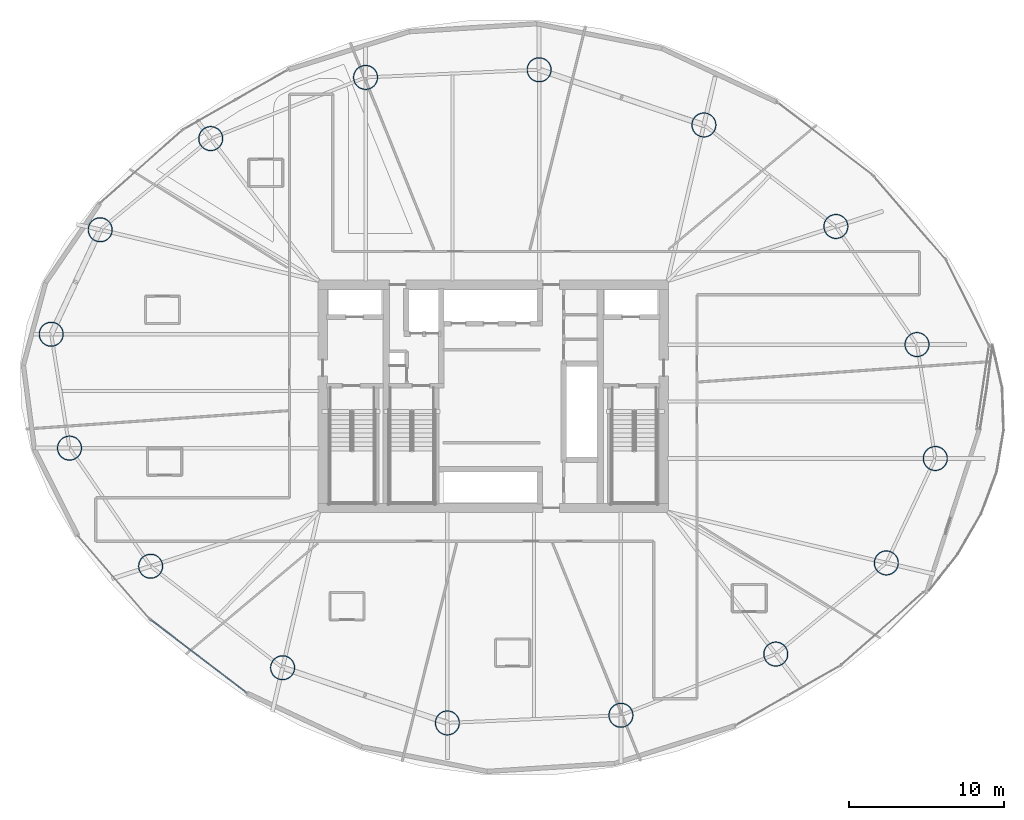
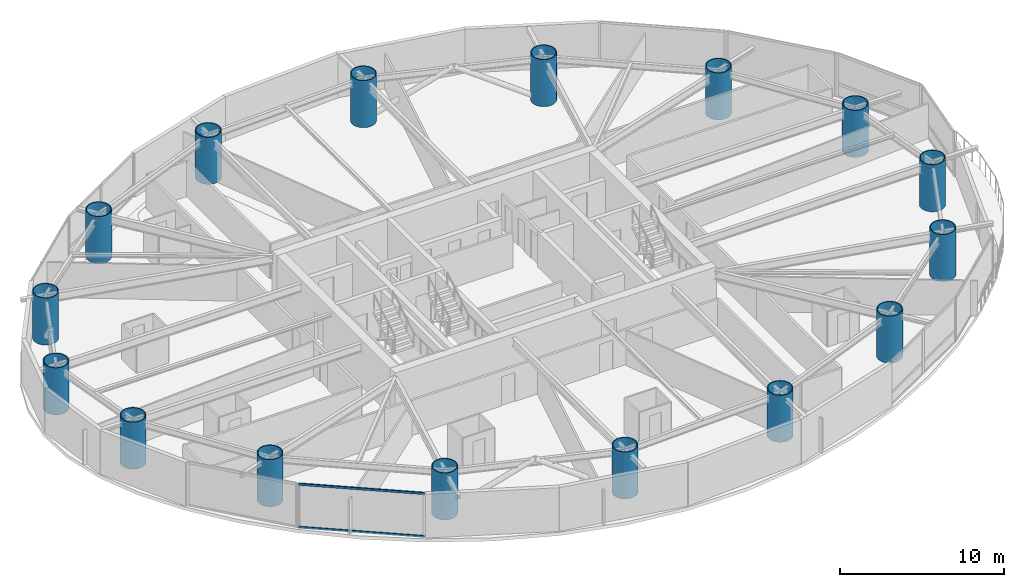
# One storey, part 1 of 26: 16 columns, 2 members, 1 element without a shape of its own.
"""IFC4 building model written with IfcOpenShell, lengths in metres."""

import ifcopenshell
import ifcopenshell.guid

model = None  # the IFC model being written
_history = None  # IfcOwnerHistory: only IFC2X3 demands one
_inside = {}  # id of a spatial element -> (the spatial element, [elements in it])
_under = {}  # id of a project, library or spatial element -> (it, [spatial elements below it])
_declared = {}  # id of a project -> (the project, [libraries it declares])
_typed = {}  # id of a type object -> (the type object, [elements of that type])
_made_of = {}  # id of a material, layer set ... -> (it, [elements and type objects made of it])


def new_model(schema):
    """Start an empty IFC model of exactly this schema.

    Asked for "IFC4X3", IfcOpenShell would pick the latest addendum, in which some entities
    have other attributes; the version numbers below select the first issue.
    IFC2X3 requires an IfcOwnerHistory on every rooted entity: one is made here for all.
    """
    global model, _history
    if schema == "IFC4X3":
        model = ifcopenshell.file(schema_version=(4, 3, 0, 0))
    else:
        model = ifcopenshell.file(schema=schema)
    _inside.clear()
    _under.clear()
    _declared.clear()
    _typed.clear()
    _made_of.clear()
    _history = None
    if model.schema == "IFC2X3":
        org = make("IfcOrganization", Name="unknown")
        user = make(
            "IfcPersonAndOrganization",
            ThePerson=make("IfcPerson", FamilyName="unknown"),
            TheOrganization=org,
        )
        app = make(
            "IfcApplication",
            ApplicationDeveloper=org,
            Version="unknown",
            ApplicationFullName="unknown",
            ApplicationIdentifier="unknown",
        )
        _history = make(
            "IfcOwnerHistory",
            OwningUser=user,
            OwningApplication=app,
            ChangeAction="ADDED",
            CreationDate=0,
        )
    return model


def make(cls, **values):
    """One entity of the class cls with the attributes given. An attribute that is None is left unset."""
    return model.create_entity(
        cls, **{name: value for name, value in values.items() if value is not None}
    )


def rooted(cls, **values):
    """An entity with a GlobalId (a new one), such as an element, a storey or a relation."""
    return make(cls, GlobalId=ifcopenshell.guid.new(), OwnerHistory=_history, **values)


def si_unit(unit_type, name, prefix=None):
    """IfcSIUnit, for example si_unit("LENGTHUNIT", "METRE", prefix="MILLI")."""
    return make("IfcSIUnit", UnitType=unit_type, Prefix=prefix, Name=name)


def assignment(units):
    """IfcUnitAssignment: the units of a project."""
    return None if units is None else make("IfcUnitAssignment", Units=units)


def point(xyz):
    """IfcCartesianPoint."""
    return None if xyz is None else make("IfcCartesianPoint", Coordinates=xyz)


def direction(xyz):
    """IfcDirection."""
    return None if xyz is None else make("IfcDirection", DirectionRatios=xyz)


def frame(location, z_axis=None, x_axis=None):
    """IfcAxis2Placement3D, a coordinate frame: its origin and axes. An axis left out is left unset."""
    return make(
        "IfcAxis2Placement3D",
        Location=point(location),
        Axis=direction(z_axis),
        RefDirection=direction(x_axis),
    )


def frame_2d(location, x_axis=None):
    """IfcAxis2Placement2D, a coordinate frame in the plane: its origin and x axis."""
    return make(
        "IfcAxis2Placement2D", Location=point(location), RefDirection=direction(x_axis)
    )


def origin():
    """The frame at (0, 0, 0) with its axes left unset."""
    return frame((0.0, 0.0, 0.0))


def origin_2d():
    """The frame at (0, 0) in the plane with its x axis left unset."""
    return frame_2d((0.0, 0.0))


def place(relative_to, where):
    """IfcLocalPlacement: puts the frame where relative to a parent placement (None: the world)."""
    return make(
        "IfcLocalPlacement", PlacementRelTo=relative_to, RelativePlacement=where
    )


def context(
    kind, dimensions, precision=None, world=None, true_north=None, identifier=None
):
    """IfcGeometricRepresentationContext, for example the 3D "Model" context."""
    return make(
        "IfcGeometricRepresentationContext",
        ContextIdentifier=identifier,
        ContextType=kind,
        CoordinateSpaceDimension=dimensions,
        Precision=precision,
        WorldCoordinateSystem=world,
        TrueNorth=true_north,
    )


def subcontext(parent, identifier, kind, view, scale=None):
    """IfcGeometricRepresentationSubContext, for example "Body" below "Model"."""
    return make(
        "IfcGeometricRepresentationSubContext",
        ContextIdentifier=identifier,
        ContextType=kind,
        ParentContext=parent,
        TargetScale=scale,
        TargetView=view,
    )


def project(units=None, contexts=None):
    """IfcProject with its units and contexts."""
    return rooted(
        "IfcProject",
        Name="project",
        RepresentationContexts=contexts,
        UnitsInContext=assignment(units),
    )


def spatial(cls, under=None, at=None, **own):
    """A site, building, storey or space (cls), placed at a placement, below another one or the project."""
    s = rooted(cls, ObjectPlacement=at, **own)
    if under is not None:
        _under.setdefault(under.id(), (under, []))[1].append(s)
    return s


def profile(cls, at=None, kind="AREA", **sizes):
    """A parametric profile (cls). Its sizes go by their IFC names, for example OverallWidth=200.0."""
    return make(cls, ProfileType=kind, Position=at, **sizes)


def hollow_rectangle(**sizes):
    """IfcRectangleHollowProfileDef."""
    return profile("IfcRectangleHollowProfileDef", **sizes)


def hollow_circle(**sizes):
    """IfcCircleHollowProfileDef."""
    return profile("IfcCircleHollowProfileDef", **sizes)


def extrude(swept, where, along, depth):
    """IfcExtrudedAreaSolid: the profile swept, set in the frame where, extruded along a direction by depth."""
    return make(
        "IfcExtrudedAreaSolid",
        SweptArea=swept,
        Position=where,
        ExtrudedDirection=direction(along),
        Depth=depth,
    )


def shape(context_of_items, identifier, shape_type, items):
    """IfcShapeRepresentation: the items that make up one representation, for example the "Body"."""
    return make(
        "IfcShapeRepresentation",
        ContextOfItems=context_of_items,
        RepresentationIdentifier=identifier,
        RepresentationType=shape_type,
        Items=items,
    )


def material(Name=None, Category=None):
    """IfcMaterial."""
    return make("IfcMaterial", Name=Name, Category=Category)


def layer(
    of_material, thickness, ventilated=None, Name=None, Category=None, Priority=None
):
    """IfcMaterialLayer: one layer of a wall or slab, of a material (None: an air gap)."""
    return make(
        "IfcMaterialLayer",
        Material=of_material,
        LayerThickness=thickness,
        IsVentilated=ventilated,
        Name=Name,
        Category=Category,
        Priority=Priority,
    )


def layer_set(layers, Name=None):
    """IfcMaterialLayerSet."""
    return make("IfcMaterialLayerSet", MaterialLayers=layers, LayerSetName=Name)


def material_profile(
    of_material, cross_section, Name=None, Category=None, Priority=None
):
    """IfcMaterialProfile: a cross section and its material."""
    return make(
        "IfcMaterialProfile",
        Name=Name,
        Material=of_material,
        Profile=cross_section,
        Priority=Priority,
        Category=Category,
    )


def profile_set(profiles, Name=None, composite=None):
    """IfcMaterialProfileSet."""
    return make(
        "IfcMaterialProfileSet",
        Name=Name,
        MaterialProfiles=profiles,
        CompositeProfile=composite,
    )


def made_of(thing, what):
    """Note that an element or type object is made of a material, layer set ...; save() writes the relation."""
    if what is not None:
        _made_of.setdefault(what.id(), (what, []))[1].append(thing)
    return thing


def type_object(cls, material=None, **own):
    """A type object (cls), such as IfcWallType, which elements share."""
    return made_of(rooted(cls, **own), material)


def element(
    cls,
    number,
    at=None,
    inside=None,
    cuts=None,
    type_object=None,
    material=None,
    context=None,
    identifier="Body",
    shape_type=None,
    held_by="IfcProductDefinitionShape",
    body=None,
    shapes=None,
    **own,
):
    """One element of the class cls, such as IfcWall. Its Tag is "e" and its number.

    at: its placement. inside: the storey or other place that contains it. cuts: it is an
    opening in that element (IfcRelVoidsElement). A single representation is given by context,
    identifier, shape_type and body (its items); several are given by shapes. held_by: the class
    of the entity that holds the representations. save() writes the other relations.
    """
    e = rooted(cls, Tag="e%d" % number, ObjectPlacement=at, **own)
    if body is not None:
        shapes = [shape(context, identifier, shape_type, body)]
    if shapes is not None:
        e.Representation = make(held_by, Representations=shapes)
    if inside is not None:
        _inside.setdefault(inside.id(), (inside, []))[1].append(e)
    if cuts is not None:
        rooted(
            "IfcRelVoidsElement", RelatingBuildingElement=cuts, RelatedOpeningElement=e
        )
    if type_object is not None:
        _typed.setdefault(type_object.id(), (type_object, []))[1].append(e)
    return made_of(e, material)


def aggregate(whole, parts):
    """IfcRelAggregates: a whole, such as a stair, and the parts it consists of."""
    return rooted("IfcRelAggregates", RelatingObject=whole, RelatedObjects=parts)


def save(model, path):
    """Write the relations noted so far, then the file.

    IfcRelAggregates (storeys below a building ...), IfcRelContainedInSpatialStructure (elements
    in a storey), IfcRelDefinesByType, IfcRelAssociatesMaterial and IfcRelDeclares: one each for
    every whole, place, type object, material and project.
    """
    for whole, parts in _under.values():
        aggregate(whole, parts)
    for where, things in _inside.values():
        rooted(
            "IfcRelContainedInSpatialStructure",
            RelatedElements=things,
            RelatingStructure=where,
        )
    for kind, things in _typed.values():
        rooted("IfcRelDefinesByType", RelatedObjects=things, RelatingType=kind)
    for what, things in _made_of.values():
        rooted("IfcRelAssociatesMaterial", RelatedObjects=things, RelatingMaterial=what)
    for by, libraries in _declared.values():
        rooted("IfcRelDeclares", RelatingContext=by, RelatedDefinitions=libraries)
    model.write(path)


model = new_model("IFC4")

# Units and contexts
model_context = context("Model", 3, precision=1e-05, world=origin(), true_north=direction((0.0, 1.0)))
body_context = subcontext(model_context, "Body", "Model", "MODEL_VIEW")
ifc_project = project(units=[si_unit("LENGTHUNIT", "METRE"), si_unit("AREAUNIT", "SQUARE_METRE"), si_unit("VOLUMEUNIT", "CUBIC_METRE"), si_unit("PLANEANGLEUNIT", "RADIAN"), si_unit("MASSUNIT", "GRAM", prefix="KILO")], contexts=[model_context])

# Site, building, storey
site_placement = place(None, origin())
site = spatial("IfcSite", under=ifc_project, at=site_placement, CompositionType="ELEMENT")
building_placement = place(site_placement, origin())
building = spatial("IfcBuilding", under=site, at=building_placement, Name="Bramvorn Convention Spire", CompositionType="ELEMENT")
storey_placement = place(building_placement, frame((0.0, 0.0, 51.89990234375)))
storey = spatial("IfcBuildingStorey", under=building, at=storey_placement, Name="L10", CompositionType="ELEMENT", Elevation=51.89990234375)

# Columns
ifc_material_1 = material(Name="Steel CSA G40.21 Grade 350 (350W)", Category="steel")
ifc_material_profile_1 = material_profile(ifc_material_1, hollow_circle(Radius=0.800048828125, WallThickness=0.06005859375, at=origin_2d()))
ifc_profile_set_1 = profile_set([ifc_material_profile_1], Name="Steel CSA G40.21 Grade 350 (350W) - CFT1600X60")
column_type = type_object("IfcColumnType", Name="COL-CFT1600X60", PredefinedType="COLUMN", material=ifc_profile_set_1)
for number, where, z_axis, x_axis, name in (
    (1, (66.519775390625, 21.99169921875, 0.0), (0.0, 0.0, 1.0), (1.0, 0.0, 0.0), "L10 composite CFT mega-column MC01"),
    (2, (65.338623046875, 29.340087890625, 0.0), (0.0, 0.0, 1.0), (1.0, 0.0, 0.0), "L10 composite CFT mega-column MC02"),
    (3, (60.105224609375, 36.960205078125, 0.0), (0.0, 0.0, 1.0), (1.0, 0.0, 0.0), "L10 composite CFT mega-column MC03"),
    (4, (51.59033203125, 43.509033203125, 0.0), (0.0, 0.0, 1.0), (1.0, 0.0, 0.0), "L10 composite CFT mega-column MC04"),
    (5, (40.9609375, 47.06884765625, 0.0), (0.0, 0.0, 1.0), (1.0, 0.0, 0.0), "L10 composite CFT mega-column MC05"),
    (6, (29.76220703125, 46.57666015625, 0.0), (0.0, 0.0, 1.0), (1.0, 0.0, 0.0), "L10 composite CFT mega-column MC06"),
    (7, (19.772216796875, 42.628662109375, 0.0), (0.0, 0.0, 1.0), (1.0, 0.0, 0.0), "L10 composite CFT mega-column MC07"),
    (8, (12.64111328125, 36.746337890625, 0.0), (0.0, 0.0, 1.0), (1.0, 0.0, 0.0), "L10 composite CFT mega-column MC08"),
    (9, (9.480224609375, 30.00830078125, 0.0), (0.0, 0.0, 1.0), (1.0, 0.0, 0.0), "L10 composite CFT mega-column MC09"),
    (10, (10.661376953125, 22.659912109375, 0.0), (0.0, 0.0, 1.0), (1.0, 0.0, 0.0), "L10 composite CFT mega-column MC10"),
    (11, (15.894775390625, 15.039794921875, 0.0), (0.0, 0.0, 1.0), (1.0, 0.0, 0.0), "L10 composite CFT mega-column MC11"),
    (12, (24.40966796875, 8.490966796875, 0.0), (0.0, 0.0, 1.0), (1.0, 0.0, 0.0), "L10 composite CFT mega-column MC12"),
    (13, (35.0390625, 4.93115234375, 0.0), (0.0, 0.0, 1.0), (1.0, 0.0, 0.0), "L10 composite CFT mega-column MC13"),
    (14, (46.23779296875, 5.42333984375, 0.0), (0.0, 0.0, 1.0), (1.0, 0.0, 0.0), "L10 composite CFT mega-column MC14"),
    (15, (56.227783203125, 9.371337890625, 0.0), (0.0, 0.0, 1.0), (1.0, 0.0, 0.0), "L10 composite CFT mega-column MC15"),
    (16, (63.35888671875, 15.253662109375, 0.0), (0.0, 0.0, 1.0), (1.0, 0.0, 0.0), "L10 composite CFT mega-column MC16"),
):
    element("IfcColumn", number, at=place(storey_placement, frame(where, z_axis=z_axis, x_axis=x_axis)), inside=storey, type_object=column_type, Name=name, PredefinedType="COLUMN", context=body_context, shape_type="SweptSolid", body=[
        extrude(hollow_circle(Radius=0.800048828125, WallThickness=0.06005859375, at=origin_2d()), origin(), (0.0, 0.0, 1.0), 3.5),
    ])

# Curtain wall, members
ifc_material_2 = material(Name="Anodised Bronze Unitised Curtain Wall", Category="aluminium")
ifc_layer = layer(ifc_material_2, 0.179931640625)
ifc_layer_set = layer_set([ifc_layer], Name="Anodised Bronze Unitised Curtain Wall - CW-HTL-FRIT")
curtain_wall_type = type_object("IfcCurtainWallType", Name="CW-HTL-FRIT", PredefinedType="USERDEFINED", material=ifc_layer_set)
curtain_wall_placement = place(storey_placement, origin())
curtain_wall = element("IfcCurtainWall", 17, at=curtain_wall_placement, inside=storey, type_object=curtain_wall_type, Name="L10 fritted glass curtain wall 16", ObjectType="UNITISED CURTAIN WALL", PredefinedType="USERDEFINED")
ifc_material_3 = material(Name="Anodised Bronze Aluminium 6063-T6", Category="aluminium")
ifc_material_profile_2 = material_profile(ifc_material_3, hollow_rectangle(XDim=0.080078125, YDim=0.159912109375, WallThickness=0.00390625, InnerFilletRadius=0.0009765625, OuterFilletRadius=0.00390625, at=origin_2d()))
ifc_profile_set_2 = profile_set([ifc_material_profile_2], Name="Anodised Bronze Aluminium 6063-T6 - CWT80X160")
member_type = type_object("IfcMemberType", Name="CW-TRN-150", PredefinedType="USERDEFINED", material=ifc_profile_set_2)
member_1_placement = place(storey_placement, frame((22.05859375, 6.890625, 0.030029296875), z_axis=(-0.795288050485, 0.606231735193, 0.0), x_axis=(-0.606231735193, -0.795288050485, 0.0)))
member_1 = element("IfcMember", 18, at=member_1_placement, type_object=member_type, Name="CW2 transom 1.1", ObjectType="TRANSOM", PredefinedType="USERDEFINED", context=body_context, shape_type="SweptSolid", body=[
    extrude(hollow_rectangle(XDim=0.080078125, YDim=0.159912109375, WallThickness=0.00390625, InnerFilletRadius=0.0009765625, OuterFilletRadius=0.00390625, at=origin_2d()), origin(), (0.0, 0.0, 1.0), 7.724853515625),
])
member_2_placement = place(storey_placement, frame((22.05859375, 6.890625, 3.22021484375), z_axis=(-0.795288050485, 0.606231735193, 0.0), x_axis=(-0.606231735193, -0.795288050485, 0.0)))
member_2 = element("IfcMember", 19, at=member_2_placement, type_object=member_type, Name="CW2 transom 1.2", ObjectType="TRANSOM", PredefinedType="USERDEFINED", context=body_context, shape_type="SweptSolid", body=[
    extrude(hollow_rectangle(XDim=0.080078125, YDim=0.159912109375, WallThickness=0.00390625, InnerFilletRadius=0.0009765625, OuterFilletRadius=0.00390625, at=origin_2d()), origin(), (0.0, 0.0, 1.0), 7.724853515625),
])
aggregate(curtain_wall, [member_1, member_2])

save(model, "model.ifc")
